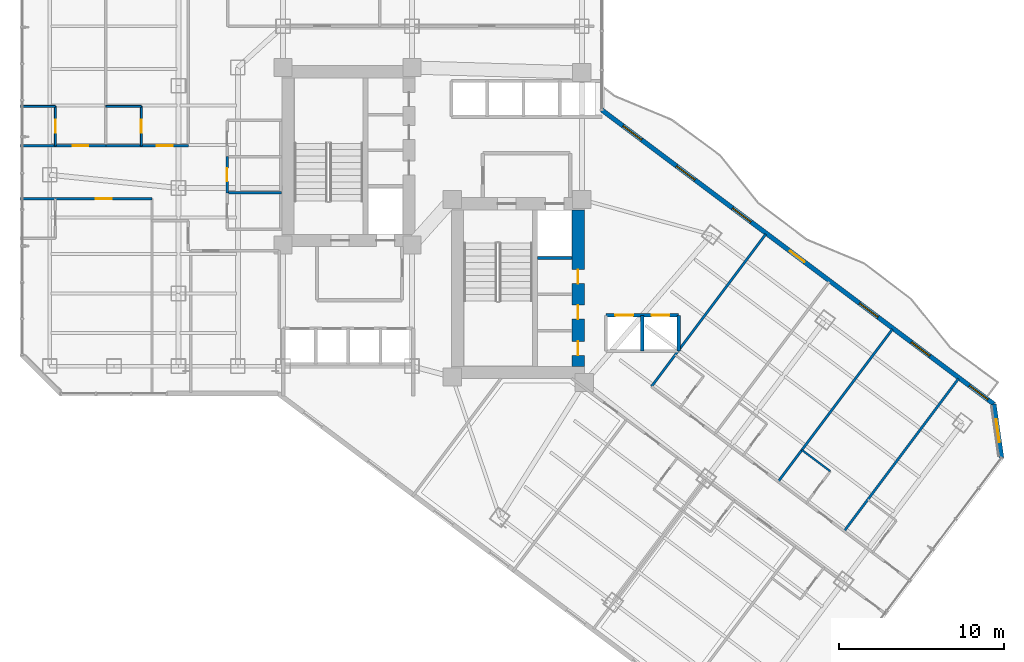
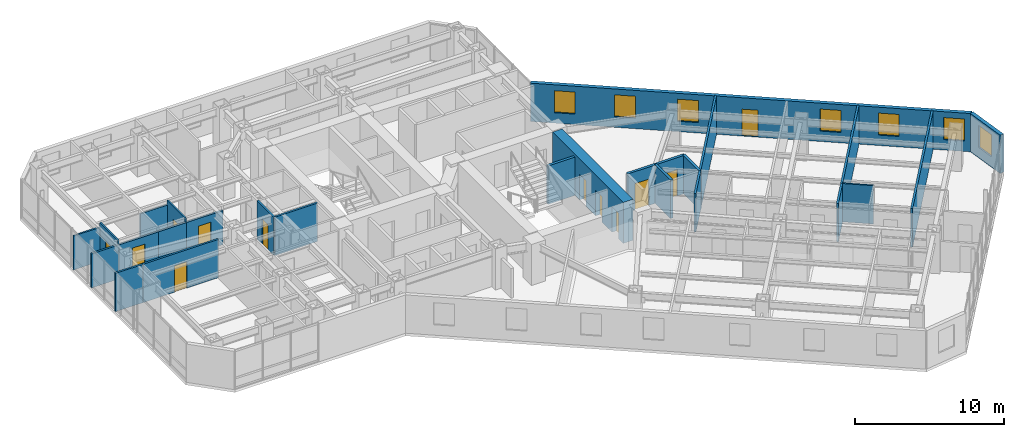
# One storey, part 24 of 31: 23 walls, 12 doors, 7 windows, 19 openings.
"""IFC4 building model written with IfcOpenShell, lengths in metres."""

from ifc_helpers import new_model, si_unit, direction, frame, frame_2d, origin, place, context, subcontext, project, spatial, rectangle, extrude, material, layer, layer_set, type_object, element, fill, save


model = new_model("IFC4")

# Units and contexts
model_context = context("Model", 3, precision=1e-05, world=origin(), true_north=direction((0.0, 1.0)))
body_context = subcontext(model_context, "Body", "Model", "MODEL_VIEW")
ifc_project = project(units=[si_unit("LENGTHUNIT", "METRE"), si_unit("AREAUNIT", "SQUARE_METRE"), si_unit("VOLUMEUNIT", "CUBIC_METRE"), si_unit("PLANEANGLEUNIT", "RADIAN"), si_unit("MASSUNIT", "GRAM", prefix="KILO")], contexts=[model_context])

# Site, building, storey
site_placement = place(None, origin())
site = spatial("IfcSite", under=ifc_project, at=site_placement, CompositionType="ELEMENT")
building_placement = place(site_placement, origin())
building = spatial("IfcBuilding", under=site, at=building_placement, Name="Hatsunagi Terrace Concourse", CompositionType="ELEMENT")
storey_placement = place(building_placement, frame((0.0, 0.0, 81.300048828125)))
storey = spatial("IfcBuildingStorey", under=building, at=storey_placement, Name="L21", CompositionType="ELEMENT", Elevation=81.300048828125)

# Wall, openings, doors
ifc_material_1 = material(Name="Concrete Fc60", Category="concrete")
ifc_layer_1 = layer(ifc_material_1, 0.75)
ifc_layer_set_1 = layer_set([ifc_layer_1], Name="CoreShearWall_Fc60_750")
wall_type_1 = type_object("IfcWallType", Name="CoreShearWall_Fc60_750", PredefinedType="SHEAR", material=ifc_layer_set_1)
wall_1_placement = place(storey_placement, frame((43.425048828125, 25.18994140625, 0.0), z_axis=(0.0, 0.0, 1.0), x_axis=(0.0, 1.0, 0.0)))
wall_1 = element("IfcWall", 1, at=wall_1_placement, inside=storey, type_object=wall_type_1, Name="Core B Shear Wall E L21", PredefinedType="SHEAR", context=body_context, shape_type="SweptSolid", body=[
    extrude(rectangle(XDim=9.47998046875, YDim=0.75, at=frame_2d((4.739990234375, 0.0))), origin(), (0.0, 0.0, 1.0), 3.349853515625),
])
opening_1_placement = place(wall_1_placement, frame((0.659912109375, 0.0, 0.0)))
opening_1 = element("IfcOpeningElement", 2, at=opening_1_placement, cuts=wall_1, Name="Opening DR-085", PredefinedType="OPENING", context=body_context, shape_type="SweptSolid", body=[
    extrude(rectangle(XDim=0.85009765625, YDim=2.080078125, at=frame_2d((0.425048828125, 1.0400390625))), frame((0.0, 0.385009765625, 0.0), z_axis=(0.0, -1.0, 0.0), x_axis=(1.0, 0.0, 0.0)), (0.0, 0.0, 1.0), 0.77001953125),
])
opening_2_placement = place(wall_1_placement, frame((2.860107421875, 0.0, 0.0)))
opening_2 = element("IfcOpeningElement", 3, at=opening_2_placement, cuts=wall_1, Name="Opening DR-085", PredefinedType="OPENING", context=body_context, shape_type="SweptSolid", body=[
    extrude(rectangle(XDim=0.85009765625, YDim=2.080078125, at=frame_2d((0.425048828125, 1.0400390625))), frame((0.0, 0.385009765625, 0.0), z_axis=(0.0, -1.0, 0.0), x_axis=(1.0, 0.0, 0.0)), (0.0, 0.0, 1.0), 0.77001953125),
])
opening_3_placement = place(wall_1_placement, frame((5.010009765625, 0.0, 0.0)))
opening_3 = element("IfcOpeningElement", 4, at=opening_3_placement, cuts=wall_1, Name="Opening DR-085", PredefinedType="OPENING", context=body_context, shape_type="SweptSolid", body=[
    extrude(rectangle(XDim=0.85009765625, YDim=2.080078125, at=frame_2d((0.425048828125, 1.0400390625))), frame((0.0, 0.385009765625, 0.0), z_axis=(0.0, -1.0, 0.0), x_axis=(1.0, 0.0, 0.0)), (0.0, 0.0, 1.0), 0.77001953125),
])
ifc_material_2 = material(Name="Painted steel", Category="steel")
door_type_1 = type_object("IfcDoorType", Name="RiserAccessDoor_EI60_850", OperationType="NOTDEFINED", PredefinedType="DOOR", material=ifc_material_2)
door_1_placement = place(opening_1_placement, origin())
door_1 = element("IfcDoor", 5, at=door_1_placement, inside=storey, type_object=door_type_1, Name="Core B Riser Door L21-1", OperationType="SINGLE_SWING_RIGHT", OverallHeight=2.080078125, OverallWidth=0.85009765625, PredefinedType="DOOR", context=body_context, shape_type="SweptSolid", body=[
    extrude(rectangle(XDim=0.85009765625, YDim=2.080078125, at=frame_2d((0.425048828125, 1.0400390625))), frame((0.0, 0.02490234375, 0.0), z_axis=(0.0, -1.0, 0.0), x_axis=(1.0, 0.0, 0.0)), (0.0, 0.0, 1.0), 0.050048828125),
])
fill(opening_1, door_1)
door_2_placement = place(opening_2_placement, origin())
door_2 = element("IfcDoor", 6, at=door_2_placement, inside=storey, type_object=door_type_1, Name="Core B Riser Door L21-2", OperationType="SINGLE_SWING_RIGHT", OverallHeight=2.080078125, OverallWidth=0.85009765625, PredefinedType="DOOR", context=body_context, shape_type="SweptSolid", body=[
    extrude(rectangle(XDim=0.85009765625, YDim=2.080078125, at=frame_2d((0.425048828125, 1.0400390625))), frame((0.0, 0.02490234375, 0.0), z_axis=(0.0, -1.0, 0.0), x_axis=(1.0, 0.0, 0.0)), (0.0, 0.0, 1.0), 0.050048828125),
])
fill(opening_2, door_2)
door_3_placement = place(opening_3_placement, origin())
door_3 = element("IfcDoor", 7, at=door_3_placement, inside=storey, type_object=door_type_1, Name="Core B Riser Door L21-3", OperationType="SINGLE_SWING_RIGHT", OverallHeight=2.080078125, OverallWidth=0.85009765625, PredefinedType="DOOR", context=body_context, shape_type="SweptSolid", body=[
    extrude(rectangle(XDim=0.85009765625, YDim=2.080078125, at=frame_2d((0.425048828125, 1.0400390625))), frame((0.0, 0.02490234375, 0.0), z_axis=(0.0, -1.0, 0.0), x_axis=(1.0, 0.0, 0.0)), (0.0, 0.0, 1.0), 0.050048828125),
])
fill(opening_3, door_3)

# Wall, opening, door
ifc_material_3 = material(Name="Acoustic mineral board", Category="gypsum")
ifc_layer_2 = layer(ifc_material_3, 0.1201171875)
ifc_layer_set_2 = layer_set([ifc_layer_2], Name="PartitionWall_EI30_120")
wall_type_2 = type_object("IfcWallType", Name="PartitionWall_EI30_120", PredefinedType="PARTITIONING", material=ifc_layer_set_2)
wall_2_placement = place(storey_placement, frame((11.75, 38.550048828125, 0.0), z_axis=(0.0, 0.0, 1.0), x_axis=(0.0, 1.0, 0.0)))
wall_2 = element("IfcWall", 8, at=wall_2_placement, inside=storey, type_object=wall_type_2, Name="Interior Partition IW-L21-051", PredefinedType="PARTITIONING", context=body_context, shape_type="SweptSolid", body=[
    extrude(rectangle(XDim=2.39990234375, YDim=0.1201171875, at=frame_2d((1.199951171875, 0.0))), origin(), (0.0, 0.0, 1.0), 3.1298828125),
])
opening_4_placement = place(wall_2_placement, frame((0.800048828125, 0.0, 0.0)))
opening_4 = element("IfcOpeningElement", 9, at=opening_4_placement, cuts=wall_2, Name="Opening DR-080", PredefinedType="OPENING", context=body_context, shape_type="SweptSolid", body=[
    extrude(rectangle(XDim=0.800048828125, YDim=2.06005859375, at=frame_2d((0.39990234375, 1.030029296875))), frame((0.0, 0.070068359375, 0.0), z_axis=(0.0, -1.0, 0.0), x_axis=(1.0, 0.0, 0.0)), (0.0, 0.0, 1.0), 0.14013671875),
])
ifc_material_4 = material(Name="Hardwood timber", Category="wood")
door_type_2 = type_object("IfcDoorType", Name="BathroomDoor_800", OperationType="NOTDEFINED", PredefinedType="DOOR", material=ifc_material_4)
door_4_placement = place(opening_4_placement, origin())
door_4 = element("IfcDoor", 10, at=door_4_placement, inside=storey, type_object=door_type_2, Name="En-Suite Bathroom L21-N1 Door", OperationType="SINGLE_SWING_RIGHT", OverallHeight=2.06005859375, OverallWidth=0.800048828125, PredefinedType="DOOR", context=body_context, shape_type="SweptSolid", body=[
    extrude(rectangle(XDim=0.800048828125, YDim=2.06005859375, at=frame_2d((0.39990234375, 1.030029296875))), frame((0.0, 0.02490234375, 0.0), z_axis=(0.0, -1.0, 0.0), x_axis=(1.0, 0.0, 0.0)), (0.0, 0.0, 1.0), 0.050048828125),
])
fill(opening_4, door_4)

# Wall
wall_3_placement = place(storey_placement, frame((9.639892578125, 40.949951171875, 0.0), z_axis=(0.0, 0.0, 1.0), x_axis=(1.0, 0.0, 0.0)))
element("IfcWall", 11, at=wall_3_placement, inside=storey, type_object=wall_type_2, Name="Interior Partition IW-L21-052", PredefinedType="PARTITIONING", context=body_context, shape_type="SweptSolid", body=[
    extrude(rectangle(XDim=2.110107421875, YDim=0.1201171875, at=frame_2d((1.05517578125, 0.0))), origin(), (0.0, 0.0, 1.0), 2.77490234375),
])

# Wall, opening, door
wall_4_placement = place(storey_placement, frame((16.949951171875, 38.550048828125, 0.0), z_axis=(0.0, 0.0, 1.0), x_axis=(0.0, 1.0, 0.0)))
wall_4 = element("IfcWall", 12, at=wall_4_placement, inside=storey, type_object=wall_type_2, Name="Interior Partition IW-L21-056", PredefinedType="PARTITIONING", context=body_context, shape_type="SweptSolid", body=[
    extrude(rectangle(XDim=2.39990234375, YDim=0.1201171875, at=frame_2d((1.199951171875, 0.0))), origin(), (0.0, 0.0, 1.0), 3.1298828125),
])
opening_5_placement = place(wall_4_placement, frame((0.800048828125, 0.0, 0.0)))
opening_5 = element("IfcOpeningElement", 13, at=opening_5_placement, cuts=wall_4, Name="Opening DR-080", PredefinedType="OPENING", context=body_context, shape_type="SweptSolid", body=[
    extrude(rectangle(XDim=0.800048828125, YDim=2.06005859375, at=frame_2d((0.39990234375, 1.030029296875))), frame((0.0, 0.070068359375, 0.0), z_axis=(0.0, -1.0, 0.0), x_axis=(1.0, 0.0, 0.0)), (0.0, 0.0, 1.0), 0.14013671875),
])
door_5_placement = place(opening_5_placement, origin())
door_5 = element("IfcDoor", 14, at=door_5_placement, inside=storey, type_object=door_type_2, Name="En-Suite Bathroom L21-N2 Door", OperationType="SINGLE_SWING_LEFT", OverallHeight=2.06005859375, OverallWidth=0.800048828125, PredefinedType="DOOR", context=body_context, shape_type="SweptSolid", body=[
    extrude(rectangle(XDim=0.800048828125, YDim=2.06005859375, at=frame_2d((0.39990234375, 1.030029296875))), frame((0.0, 0.02490234375, 0.0), z_axis=(0.0, -1.0, 0.0), x_axis=(1.0, 0.0, 0.0)), (0.0, 0.0, 1.0), 0.050048828125),
])
fill(opening_5, door_5)

# Walls
wall_5_placement = place(storey_placement, frame((14.800048828125, 40.949951171875, 0.0), z_axis=(0.0, 0.0, 1.0), x_axis=(1.0, 0.0, 0.0)))
element("IfcWall", 15, at=wall_5_placement, inside=storey, type_object=wall_type_2, Name="Interior Partition IW-L21-057", PredefinedType="PARTITIONING", context=body_context, shape_type="SweptSolid", body=[
    extrude(rectangle(XDim=2.14990234375, YDim=0.1201171875, at=frame_2d((1.074951171875, 0.0))), origin(), (0.0, 0.0, 1.0), 2.77490234375),
])
wall_6_placement = place(storey_placement, frame((56.989990234375, 20.1201171875, 0.0), z_axis=(0.0, 0.0, 1.0), x_axis=(0.79998637334, -0.60001816845, 0.0)))
element("IfcWall", 16, at=wall_6_placement, inside=storey, type_object=wall_type_2, Name="Interior Partition IW-L21-080", PredefinedType="PARTITIONING", context=body_context, shape_type="SweptSolid", body=[
    extrude(rectangle(XDim=2.14990234375, YDim=0.1201171875, at=frame_2d((1.074951171875, 0.0))), origin(), (0.0, 0.0, 1.0), 3.1298828125),
])
ifc_material_5 = material(Name="Acoustic mineral board", Category="gypsum")
ifc_layer_3 = layer(ifc_material_5, 0.14990234375)
ifc_layer_set_3 = layer_set([ifc_layer_3], Name="PartitionWall_EI60_150")
wall_type_3 = type_object("IfcWallType", Name="PartitionWall_EI60_150", PredefinedType="PARTITIONING", material=ifc_layer_set_3)
wall_7_placement = place(storey_placement, frame((22.14990234375, 35.699951171875, 0.0), z_axis=(0.0, 0.0, 1.0), x_axis=(1.0, 0.0, 0.0)))
element("IfcWall", 17, at=wall_7_placement, inside=storey, type_object=wall_type_3, Name="Interior Partition IW-L21-034", PredefinedType="PARTITIONING", context=body_context, shape_type="SweptSolid", body=[
    extrude(rectangle(XDim=3.300048828125, YDim=0.14990234375, at=frame_2d((1.64990234375, 0.0))), origin(), (0.0, 0.0, 1.0), 3.1298828125),
])

# Wall, opening, door
wall_8_placement = place(storey_placement, frame((22.14990234375, 35.699951171875, 0.0), z_axis=(0.0, 0.0, 1.0), x_axis=(0.0, 1.0, 0.0)))
wall_8 = element("IfcWall", 18, at=wall_8_placement, inside=storey, type_object=wall_type_3, Name="Interior Partition IW-L21-037", PredefinedType="PARTITIONING", context=body_context, shape_type="SweptSolid", body=[
    extrude(rectangle(XDim=2.199951171875, YDim=0.14990234375, at=frame_2d((1.10009765625, 0.0))), origin(), (0.0, 0.0, 1.0), 3.1298828125),
])
opening_6_placement = place(wall_8_placement, frame((0.699951171875, 0.0, 0.0)))
opening_6 = element("IfcOpeningElement", 19, at=opening_6_placement, cuts=wall_8, Name="Opening DR-080", PredefinedType="OPENING", context=body_context, shape_type="SweptSolid", body=[
    extrude(rectangle(XDim=0.800048828125, YDim=2.06005859375, at=frame_2d((0.39990234375, 1.030029296875))), frame((0.0, 0.0849609375, 0.0), z_axis=(0.0, -1.0, 0.0), x_axis=(1.0, 0.0, 0.0)), (0.0, 0.0, 1.0), 0.169921875),
])
door_6_placement = place(opening_6_placement, origin())
door_6 = element("IfcDoor", 20, at=door_6_placement, inside=storey, type_object=door_type_2, Name="Female Restroom Door L21", OperationType="SINGLE_SWING_RIGHT", OverallHeight=2.06005859375, OverallWidth=0.800048828125, PredefinedType="DOOR", context=body_context, shape_type="SweptSolid", body=[
    extrude(rectangle(XDim=0.800048828125, YDim=2.06005859375, at=frame_2d((0.39990234375, 1.030029296875))), frame((0.0, 0.02490234375, 0.0), z_axis=(0.0, -1.0, 0.0), x_axis=(1.0, 0.0, 0.0)), (0.0, 0.0, 1.0), 0.050048828125),
])
fill(opening_6, door_6)

# Wall
wall_9_placement = place(storey_placement, frame((9.639892578125, 38.550048828125, 0.0), z_axis=(0.0, 0.0, 1.0), x_axis=(1.0, 0.0, 0.0)))
element("IfcWall", 21, at=wall_9_placement, inside=storey, type_object=wall_type_3, Name="Interior Partition IW-L21-049", PredefinedType="PARTITIONING", context=body_context, shape_type="SweptSolid", body=[
    extrude(rectangle(XDim=2.110107421875, YDim=0.14990234375, at=frame_2d((1.05517578125, 0.0))), origin(), (0.0, 0.0, 1.0), 2.77490234375),
])

# Wall, opening, door
wall_10_placement = place(storey_placement, frame((11.75, 38.550048828125, 0.0), z_axis=(0.0, 0.0, 1.0), x_axis=(1.0, 0.0, 0.0)))
wall_10 = element("IfcWall", 22, at=wall_10_placement, inside=storey, type_object=wall_type_3, Name="Interior Partition IW-L21-050", PredefinedType="PARTITIONING", context=body_context, shape_type="SweptSolid", body=[
    extrude(rectangle(XDim=3.050048828125, YDim=0.14990234375, at=frame_2d((1.52490234375, 0.0))), origin(), (0.0, 0.0, 1.0), 2.77490234375),
])
opening_7_placement = place(wall_10_placement, frame((1.050048828125, 0.0, 0.0)))
opening_7 = element("IfcOpeningElement", 23, at=opening_7_placement, cuts=wall_10, Name="Opening DR-095", PredefinedType="OPENING", context=body_context, shape_type="SweptSolid", body=[
    extrude(rectangle(XDim=0.949951171875, YDim=2.14990234375, at=frame_2d((0.47509765625, 1.074951171875))), frame((0.0, 0.0849609375, 0.0), z_axis=(0.0, -1.0, 0.0), x_axis=(1.0, 0.0, 0.0)), (0.0, 0.0, 1.0), 0.169921875),
])
ifc_material_6 = material(Name="Hardwood timber", Category="wood")
door_type_3 = type_object("IfcDoorType", Name="InteriorSuiteDoor_EI30_950", OperationType="NOTDEFINED", PredefinedType="DOOR", material=ifc_material_6)
door_7_placement = place(opening_7_placement, origin())
door_7 = element("IfcDoor", 24, at=door_7_placement, inside=storey, type_object=door_type_3, Name="Hotel Guest Room L21-N1 Door", OperationType="SINGLE_SWING_LEFT", OverallHeight=2.14990234375, OverallWidth=0.949951171875, PredefinedType="DOOR", context=body_context, shape_type="SweptSolid", body=[
    extrude(rectangle(XDim=0.949951171875, YDim=2.14990234375, at=frame_2d((0.47509765625, 1.074951171875))), frame((0.0, 0.02490234375, 0.0), z_axis=(0.0, -1.0, 0.0), x_axis=(1.0, 0.0, 0.0)), (0.0, 0.0, 1.0), 0.050048828125),
])
fill(opening_7, door_7)

# Wall
wall_11_placement = place(storey_placement, frame((14.800048828125, 38.550048828125, 0.0), z_axis=(0.0, 0.0, 1.0), x_axis=(1.0, 0.0, 0.0)))
element("IfcWall", 25, at=wall_11_placement, inside=storey, type_object=wall_type_3, Name="Interior Partition IW-L21-054", PredefinedType="PARTITIONING", context=body_context, shape_type="SweptSolid", body=[
    extrude(rectangle(XDim=2.14990234375, YDim=0.14990234375, at=frame_2d((1.074951171875, 0.0))), origin(), (0.0, 0.0, 1.0), 2.77490234375),
])

# Wall, opening, door
wall_12_placement = place(storey_placement, frame((16.949951171875, 38.550048828125, 0.0), z_axis=(0.0, 0.0, 1.0), x_axis=(1.0, 0.0, 0.0)))
wall_12 = element("IfcWall", 26, at=wall_12_placement, inside=storey, type_object=wall_type_3, Name="Interior Partition IW-L21-055", PredefinedType="PARTITIONING", context=body_context, shape_type="SweptSolid", body=[
    extrude(rectangle(XDim=2.85009765625, YDim=0.14990234375, at=frame_2d((1.425048828125, 0.0))), origin(), (0.0, 0.0, 1.0), 2.77490234375),
])
opening_8_placement = place(wall_12_placement, frame((0.949951171875, 0.0, 0.0)))
opening_8 = element("IfcOpeningElement", 27, at=opening_8_placement, cuts=wall_12, Name="Opening DR-095", PredefinedType="OPENING", context=body_context, shape_type="SweptSolid", body=[
    extrude(rectangle(XDim=0.949951171875, YDim=2.14990234375, at=frame_2d((0.47509765625, 1.074951171875))), frame((0.0, 0.0849609375, 0.0), z_axis=(0.0, -1.0, 0.0), x_axis=(1.0, 0.0, 0.0)), (0.0, 0.0, 1.0), 0.169921875),
])
door_8_placement = place(opening_8_placement, origin())
door_8 = element("IfcDoor", 28, at=door_8_placement, inside=storey, type_object=door_type_3, Name="Hotel Guest Room L21-N2 Door", OperationType="SINGLE_SWING_LEFT", OverallHeight=2.14990234375, OverallWidth=0.949951171875, PredefinedType="DOOR", context=body_context, shape_type="SweptSolid", body=[
    extrude(rectangle(XDim=0.949951171875, YDim=2.14990234375, at=frame_2d((0.47509765625, 1.074951171875))), frame((0.0, 0.02490234375, 0.0), z_axis=(0.0, -1.0, 0.0), x_axis=(1.0, 0.0, 0.0)), (0.0, 0.0, 1.0), 0.050048828125),
])
fill(opening_8, door_8)

# Wall
wall_13_placement = place(storey_placement, frame((9.639892578125, 35.35009765625, 0.0), z_axis=(0.0, 0.0, 1.0), x_axis=(1.0, 0.0, 0.0)))
element("IfcWall", 29, at=wall_13_placement, inside=storey, type_object=wall_type_3, Name="Interior Partition IW-L21-059", PredefinedType="PARTITIONING", context=body_context, shape_type="SweptSolid", body=[
    extrude(rectangle(XDim=2.110107421875, YDim=0.14990234375, at=frame_2d((1.05517578125, 0.0))), origin(), (0.0, 0.0, 1.0), 3.1298828125),
])

# Wall, opening, door
wall_14_placement = place(storey_placement, frame((11.75, 35.35009765625, 0.0), z_axis=(0.0, 0.0, 1.0), x_axis=(1.0, 0.0, 0.0)))
wall_14 = element("IfcWall", 30, at=wall_14_placement, inside=storey, type_object=wall_type_3, Name="Interior Partition IW-L21-060", PredefinedType="PARTITIONING", context=body_context, shape_type="SweptSolid", body=[
    extrude(rectangle(XDim=5.85009765625, YDim=0.14990234375, at=frame_2d((2.925048828125, 0.0))), origin(), (0.0, 0.0, 1.0), 3.1298828125),
])
opening_9_placement = place(wall_14_placement, frame((2.449951171875, 0.0, 0.0)))
opening_9 = element("IfcOpeningElement", 31, at=opening_9_placement, cuts=wall_14, Name="Opening DR-095", PredefinedType="OPENING", context=body_context, shape_type="SweptSolid", body=[
    extrude(rectangle(XDim=0.949951171875, YDim=2.14990234375, at=frame_2d((0.47509765625, 1.074951171875))), frame((0.0, 0.0849609375, 0.0), z_axis=(0.0, -1.0, 0.0), x_axis=(1.0, 0.0, 0.0)), (0.0, 0.0, 1.0), 0.169921875),
])
door_9_placement = place(opening_9_placement, origin())
door_9 = element("IfcDoor", 32, at=door_9_placement, inside=storey, type_object=door_type_3, Name="Corner Hotel Suite L21-S1 Door", OperationType="SINGLE_SWING_RIGHT", OverallHeight=2.14990234375, OverallWidth=0.949951171875, PredefinedType="DOOR", context=body_context, shape_type="SweptSolid", body=[
    extrude(rectangle(XDim=0.949951171875, YDim=2.14990234375, at=frame_2d((0.47509765625, 1.074951171875))), frame((0.0, 0.02490234375, 0.0), z_axis=(0.0, -1.0, 0.0), x_axis=(1.0, 0.0, 0.0)), (0.0, 0.0, 1.0), 0.050048828125),
])
fill(opening_9, door_9)

# Walls
for number, where, z_axis, x_axis, name in (
    (33, (47.8701171875, 23.9599609375, 0.0), (0.0, 0.0, 1.0), (0.599996617946, 0.80000253653, 0.0), "Interior Partition IW-L21-070"),
    (34, (55.550048828125, 18.199951171875, 0.0), (0.0, 0.0, 1.0), (0.599996617946, 0.80000253653, 0.0), "Interior Partition IW-L21-076"),
    (35, (59.550048828125, 15.199951171875, 0.0), (0.0, 0.0, 1.0), (0.599996617946, 0.80000253653, 0.0), "Interior Partition IW-L21-081"),
):
    element("IfcWall", number, at=place(storey_placement, frame(where, z_axis=z_axis, x_axis=x_axis)), inside=storey, type_object=wall_type_3, Name=name, PredefinedType="PARTITIONING", context=body_context, shape_type="SweptSolid", body=[
        extrude(rectangle(XDim=11.550048828125, YDim=0.14990234375, at=frame_2d((5.77490234375, 0.0))), origin(), (0.0, 0.0, 1.0), 3.1298828125),
    ])
ifc_material_7 = material(Name="Acoustic mineral board", Category="gypsum")
ifc_layer_4 = layer(ifc_material_7, 0.199951171875)
ifc_layer_set_4 = layer_set([ifc_layer_4], Name="ShaftWall_EI120_200")
wall_type_4 = type_object("IfcWallType", Name="ShaftWall_EI120_200", PredefinedType="STANDARD", material=ifc_layer_set_4)
wall_15_placement = place(storey_placement, frame((40.969970703125, 31.760009765625, 0.0), z_axis=(0.0, 0.0, 1.0), x_axis=(1.0, 0.0, 0.0)))
element("IfcWall", 36, at=wall_15_placement, inside=storey, type_object=wall_type_4, Name="Interior Partition IW-L21-004", PredefinedType="STANDARD", context=body_context, shape_type="SweptSolid", body=[
    extrude(rectangle(XDim=2.080078125, YDim=0.199951171875, at=frame_2d((1.0400390625, 0.0))), origin(), (0.0, 0.0, 1.0), 3.1298828125),
])
for number, where, z_axis, x_axis, name in (
    (37, (49.52001953125, 26.1201171875, 0.0), (0.0, 0.0, 1.0), (0.0, 1.0, 0.0), "Interior Partition IW-L21-028"),
    (38, (47.320068359375, 26.1201171875, 0.0), (0.0, 0.0, 1.0), (0.0, 1.0, 0.0), "Interior Partition IW-L21-029"),
):
    element("IfcWall", number, at=place(storey_placement, frame(where, z_axis=z_axis, x_axis=x_axis)), inside=storey, type_object=wall_type_4, Name=name, PredefinedType="STANDARD", context=body_context, shape_type="SweptSolid", body=[
        extrude(rectangle(XDim=2.159912109375, YDim=0.199951171875, at=frame_2d((1.080078125, 0.0))), origin(), (0.0, 0.0, 1.0), 3.1298828125),
    ])

# Wall, openings, doors
wall_16_placement = place(storey_placement, frame((45.1201171875, 28.280029296875, 0.0), z_axis=(0.0, 0.0, 1.0), x_axis=(1.0, 0.0, 0.0)))
wall_16 = element("IfcWall", 39, at=wall_16_placement, inside=storey, type_object=wall_type_4, Name="Interior Partition IW-L21-030", PredefinedType="STANDARD", context=body_context, shape_type="SweptSolid", body=[
    extrude(rectangle(XDim=4.39990234375, YDim=0.199951171875, at=frame_2d((2.199951171875, 0.0))), origin(), (0.0, 0.0, 1.0), 3.1298828125),
])
opening_10_placement = place(wall_16_placement, frame((0.56005859375, 0.0, 0.0)))
opening_10 = element("IfcOpeningElement", 40, at=opening_10_placement, cuts=wall_16, Name="Opening LD-03", PredefinedType="OPENING", context=body_context, shape_type="SweptSolid", body=[
    extrude(rectangle(XDim=1.080078125, YDim=2.14990234375, at=frame_2d((0.5400390625, 1.074951171875))), frame((0.0, 0.10986328125, 0.0), z_axis=(0.0, -1.0, 0.0), x_axis=(1.0, 0.0, 0.0)), (0.0, 0.0, 1.0), 0.219970703125),
])
opening_11_placement = place(wall_16_placement, frame((2.760009765625, 0.0, 0.0)))
opening_11 = element("IfcOpeningElement", 41, at=opening_11_placement, cuts=wall_16, Name="Opening LD-03", PredefinedType="OPENING", context=body_context, shape_type="SweptSolid", body=[
    extrude(rectangle(XDim=1.080078125, YDim=2.14990234375, at=frame_2d((0.5400390625, 1.074951171875))), frame((0.0, 0.10986328125, 0.0), z_axis=(0.0, -1.0, 0.0), x_axis=(1.0, 0.0, 0.0)), (0.0, 0.0, 1.0), 0.219970703125),
])
ifc_material_8 = material(Name="Stainless steel", Category="steel")
door_type_4 = type_object("IfcDoorType", Name="LiftLandingDoor_LD03", OperationType="SLIDING_TO_LEFT", PredefinedType="USERDEFINED", material=ifc_material_8)
door_10_placement = place(opening_10_placement, origin())
door_10 = element("IfcDoor", 42, at=door_10_placement, inside=storey, type_object=door_type_4, Name="Lift landing door PL-09 L21", ObjectType="SLIDING_LANDING_DOOR", OperationType="SLIDING_TO_LEFT", OverallHeight=2.14990234375, OverallWidth=1.080078125, PredefinedType="USERDEFINED", context=body_context, shape_type="SweptSolid", body=[
    extrude(rectangle(XDim=1.080078125, YDim=2.14990234375, at=frame_2d((0.5400390625, 1.074951171875))), frame((0.0, 0.02490234375, 0.0), z_axis=(0.0, -1.0, 0.0), x_axis=(1.0, 0.0, 0.0)), (0.0, 0.0, 1.0), 0.050048828125),
])
fill(opening_10, door_10)
door_11_placement = place(opening_11_placement, origin())
door_11 = element("IfcDoor", 43, at=door_11_placement, inside=storey, type_object=door_type_4, Name="Lift landing door PL-10 L21", ObjectType="SLIDING_LANDING_DOOR", OperationType="SLIDING_TO_LEFT", OverallHeight=2.14990234375, OverallWidth=1.080078125, PredefinedType="USERDEFINED", context=body_context, shape_type="SweptSolid", body=[
    extrude(rectangle(XDim=1.080078125, YDim=2.14990234375, at=frame_2d((0.5400390625, 1.074951171875))), frame((0.0, 0.02490234375, 0.0), z_axis=(0.0, -1.0, 0.0), x_axis=(1.0, 0.0, 0.0)), (0.0, 0.0, 1.0), 0.050048828125),
])
fill(opening_11, door_11)

# Wall, openings, door, windows
ifc_material_9 = material(Name="Autoclaved Lightweight Concrete and Terracotta Cladding", Category="masonry")
ifc_layer_5 = layer(ifc_material_9, 0.280029296875)
ifc_layer_set_5 = layer_set([ifc_layer_5], Name="TerracottaSpandrelWall_280")
wall_type_5 = type_object("IfcWallType", Name="TerracottaSpandrelWall_280", PredefinedType="STANDARD", material=ifc_layer_set_5)
wall_17_placement = place(storey_placement, frame((44.860107421875, 40.72998046875, 0.0), z_axis=(0.0, 0.0, 1.0), x_axis=(0.800006902154, -0.599990797017, 0.0)))
wall_17 = element("IfcWall", 44, at=wall_17_placement, inside=storey, type_object=wall_type_5, Name="Exterior Spandrel Wall EW-L21-01", PredefinedType="STANDARD", context=body_context, shape_type="SweptSolid", body=[
    extrude(rectangle(XDim=29.7119140625, YDim=0.280029296875, at=frame_2d((14.85595703125, 0.0))), origin(), (0.0, 0.0, 1.0), 3.1298828125),
])
opening_12_placement = place(wall_17_placement, frame((14.2490234375, 0.0, 0.0)))
opening_12 = element("IfcOpeningElement", 45, at=opening_12_placement, cuts=wall_17, Name="Opening BD-01", PredefinedType="OPENING", context=body_context, shape_type="SweptSolid", body=[
    extrude(rectangle(XDim=1.10009765625, YDim=2.199951171875, at=frame_2d((0.550048828125, 1.10009765625))), frame((0.0, 0.14990234375, 0.0), z_axis=(0.0, -1.0, 0.0), x_axis=(1.0, 0.0, 0.0)), (0.0, 0.0, 1.0), 0.300048828125),
])
opening_13_placement = place(wall_17_placement, frame((1.612060546875, 0.0, 0.85009765625)))
opening_13 = element("IfcOpeningElement", 46, at=opening_13_placement, cuts=wall_17, Name="Opening WIN-02", PredefinedType="OPENING", context=body_context, shape_type="SweptSolid", body=[
    extrude(rectangle(XDim=1.39990234375, YDim=1.800048828125, at=frame_2d((0.699951171875, 0.89990234375))), frame((0.0, 0.14990234375, 0.0), z_axis=(0.0, -1.0, 0.0), x_axis=(1.0, 0.0, 0.0)), (0.0, 0.0, 1.0), 0.300048828125),
])
opening_14_placement = place(wall_17_placement, frame((5.6669921875, 0.0, 0.85009765625)))
opening_14 = element("IfcOpeningElement", 47, at=opening_14_placement, cuts=wall_17, Name="Opening WIN-02", PredefinedType="OPENING", context=body_context, shape_type="SweptSolid", body=[
    extrude(rectangle(XDim=1.39990234375, YDim=1.800048828125, at=frame_2d((0.699951171875, 0.89990234375))), frame((0.0, 0.14990234375, 0.0), z_axis=(0.0, -1.0, 0.0), x_axis=(1.0, 0.0, 0.0)), (0.0, 0.0, 1.0), 0.300048828125),
])
opening_15_placement = place(wall_17_placement, frame((9.912109375, 0.0, 0.85009765625)))
opening_15 = element("IfcOpeningElement", 48, at=opening_15_placement, cuts=wall_17, Name="Opening WIN-02", PredefinedType="OPENING", context=body_context, shape_type="SweptSolid", body=[
    extrude(rectangle(XDim=1.39990234375, YDim=1.800048828125, at=frame_2d((0.699951171875, 0.89990234375))), frame((0.0, 0.14990234375, 0.0), z_axis=(0.0, -1.0, 0.0), x_axis=(1.0, 0.0, 0.0)), (0.0, 0.0, 1.0), 0.300048828125),
])
opening_16_placement = place(wall_17_placement, frame((19.528076171875, 0.0, 0.85009765625)))
opening_16 = element("IfcOpeningElement", 49, at=opening_16_placement, cuts=wall_17, Name="Opening WIN-02", PredefinedType="OPENING", context=body_context, shape_type="SweptSolid", body=[
    extrude(rectangle(XDim=1.39990234375, YDim=1.800048828125, at=frame_2d((0.699951171875, 0.89990234375))), frame((0.0, 0.14990234375, 0.0), z_axis=(0.0, -1.0, 0.0), x_axis=(1.0, 0.0, 0.0)), (0.0, 0.0, 1.0), 0.300048828125),
])
opening_17_placement = place(wall_17_placement, frame((23.450927734375, 0.0, 0.85009765625)))
opening_17 = element("IfcOpeningElement", 50, at=opening_17_placement, cuts=wall_17, Name="Opening WIN-02", PredefinedType="OPENING", context=body_context, shape_type="SweptSolid", body=[
    extrude(rectangle(XDim=1.39990234375, YDim=1.800048828125, at=frame_2d((0.699951171875, 0.89990234375))), frame((0.0, 0.14990234375, 0.0), z_axis=(0.0, -1.0, 0.0), x_axis=(1.0, 0.0, 0.0)), (0.0, 0.0, 1.0), 0.300048828125),
])
opening_18_placement = place(wall_17_placement, frame((27.85205078125, 0.0, 0.85009765625)))
opening_18 = element("IfcOpeningElement", 51, at=opening_18_placement, cuts=wall_17, Name="Opening WIN-02", PredefinedType="OPENING", context=body_context, shape_type="SweptSolid", body=[
    extrude(rectangle(XDim=1.39990234375, YDim=1.800048828125, at=frame_2d((0.699951171875, 0.89990234375))), frame((0.0, 0.14990234375, 0.0), z_axis=(0.0, -1.0, 0.0), x_axis=(1.0, 0.0, 0.0)), (0.0, 0.0, 1.0), 0.300048828125),
])
ifc_material_10 = material(Name="Galvanised Steel and Laminated Safety Glass", Category="steel")
door_type_5 = type_object("IfcDoorType", Name="BalconyTerraceAccessDoor_1100x2200", OperationType="SINGLE_SWING_LEFT", PredefinedType="DOOR", material=ifc_material_10)
door_12_placement = place(opening_12_placement, origin())
door_12 = element("IfcDoor", 52, at=door_12_placement, inside=storey, type_object=door_type_5, Name="Engawa Balcony Door L21-BSE", OperationType="SINGLE_SWING_LEFT", OverallHeight=2.199951171875, OverallWidth=1.10009765625, PredefinedType="DOOR", context=body_context, shape_type="SweptSolid", body=[
    extrude(rectangle(XDim=1.10009765625, YDim=2.199951171875, at=frame_2d((0.550048828125, 1.10009765625))), frame((0.0, 0.02490234375, 0.0), z_axis=(0.0, -1.0, 0.0), x_axis=(1.0, 0.0, 0.0)), (0.0, 0.0, 1.0), 0.050048828125),
])
fill(opening_12, door_12)
ifc_material_11 = material(Name="Thermally Broken Aluminium and Low-E Triple Glazing", Category="aluminium")
window_type = type_object("IfcWindowType", Name="HotelOperableVentWindow_1400x1800", PartitioningType="DOUBLE_PANEL_VERTICAL", PredefinedType="WINDOW", material=ifc_material_11)
window_1_placement = place(opening_13_placement, origin())
window_1 = element("IfcWindow", 53, at=window_1_placement, inside=storey, type_object=window_type, Name="Balcony Daylighting Window L21-01-1", OverallHeight=1.800048828125, OverallWidth=1.39990234375, PartitioningType="SINGLE_PANEL", PredefinedType="WINDOW", context=body_context, shape_type="SweptSolid", body=[
    extrude(rectangle(XDim=1.39990234375, YDim=1.800048828125, at=frame_2d((0.699951171875, 0.89990234375))), frame((0.0, 0.030029296875, 0.0), z_axis=(0.0, -1.0, 0.0), x_axis=(1.0, 0.0, 0.0)), (0.0, 0.0, 1.0), 0.06005859375),
])
fill(opening_13, window_1)
window_2_placement = place(opening_14_placement, origin())
window_2 = element("IfcWindow", 54, at=window_2_placement, inside=storey, type_object=window_type, Name="Balcony Daylighting Window L21-01-2", OverallHeight=1.800048828125, OverallWidth=1.39990234375, PartitioningType="SINGLE_PANEL", PredefinedType="WINDOW", context=body_context, shape_type="SweptSolid", body=[
    extrude(rectangle(XDim=1.39990234375, YDim=1.800048828125, at=frame_2d((0.699951171875, 0.89990234375))), frame((0.0, 0.030029296875, 0.0), z_axis=(0.0, -1.0, 0.0), x_axis=(1.0, 0.0, 0.0)), (0.0, 0.0, 1.0), 0.06005859375),
])
fill(opening_14, window_2)
window_3_placement = place(opening_15_placement, origin())
window_3 = element("IfcWindow", 55, at=window_3_placement, inside=storey, type_object=window_type, Name="Balcony Daylighting Window L21-01-3", OverallHeight=1.800048828125, OverallWidth=1.39990234375, PartitioningType="SINGLE_PANEL", PredefinedType="WINDOW", context=body_context, shape_type="SweptSolid", body=[
    extrude(rectangle(XDim=1.39990234375, YDim=1.800048828125, at=frame_2d((0.699951171875, 0.89990234375))), frame((0.0, 0.030029296875, 0.0), z_axis=(0.0, -1.0, 0.0), x_axis=(1.0, 0.0, 0.0)), (0.0, 0.0, 1.0), 0.06005859375),
])
fill(opening_15, window_3)
window_4_placement = place(opening_16_placement, origin())
window_4 = element("IfcWindow", 56, at=window_4_placement, inside=storey, type_object=window_type, Name="Balcony Daylighting Window L21-01-5", OverallHeight=1.800048828125, OverallWidth=1.39990234375, PartitioningType="SINGLE_PANEL", PredefinedType="WINDOW", context=body_context, shape_type="SweptSolid", body=[
    extrude(rectangle(XDim=1.39990234375, YDim=1.800048828125, at=frame_2d((0.699951171875, 0.89990234375))), frame((0.0, 0.030029296875, 0.0), z_axis=(0.0, -1.0, 0.0), x_axis=(1.0, 0.0, 0.0)), (0.0, 0.0, 1.0), 0.06005859375),
])
fill(opening_16, window_4)
window_5_placement = place(opening_17_placement, origin())
window_5 = element("IfcWindow", 57, at=window_5_placement, inside=storey, type_object=window_type, Name="Balcony Daylighting Window L21-01-6", OverallHeight=1.800048828125, OverallWidth=1.39990234375, PartitioningType="SINGLE_PANEL", PredefinedType="WINDOW", context=body_context, shape_type="SweptSolid", body=[
    extrude(rectangle(XDim=1.39990234375, YDim=1.800048828125, at=frame_2d((0.699951171875, 0.89990234375))), frame((0.0, 0.030029296875, 0.0), z_axis=(0.0, -1.0, 0.0), x_axis=(1.0, 0.0, 0.0)), (0.0, 0.0, 1.0), 0.06005859375),
])
fill(opening_17, window_5)
window_6_placement = place(opening_18_placement, origin())
window_6 = element("IfcWindow", 58, at=window_6_placement, inside=storey, type_object=window_type, Name="Balcony Daylighting Window L21-01-7", OverallHeight=1.800048828125, OverallWidth=1.39990234375, PartitioningType="SINGLE_PANEL", PredefinedType="WINDOW", context=body_context, shape_type="SweptSolid", body=[
    extrude(rectangle(XDim=1.39990234375, YDim=1.800048828125, at=frame_2d((0.699951171875, 0.89990234375))), frame((0.0, 0.030029296875, 0.0), z_axis=(0.0, -1.0, 0.0), x_axis=(1.0, 0.0, 0.0)), (0.0, 0.0, 1.0), 0.06005859375),
])
fill(opening_18, window_6)

# Wall, opening, window
wall_18_placement = place(storey_placement, frame((68.6298828125, 22.903076171875, 0.0), z_axis=(0.0, 0.0, 1.0), x_axis=(0.141285803956, -0.989968848803, 0.0)))
wall_18 = element("IfcWall", 59, at=wall_18_placement, inside=storey, type_object=wall_type_5, Name="Exterior Spandrel Wall EW-L21-02", PredefinedType="STANDARD", context=body_context, shape_type="SweptSolid", body=[
    extrude(rectangle(XDim=3.278076171875, YDim=0.280029296875, at=frame_2d((1.63916015625, 0.0))), origin(), (0.0, 0.0, 1.0), 3.1298828125),
])
opening_19_placement = place(wall_18_placement, frame((0.93896484375, 0.0, 0.85009765625)))
opening_19 = element("IfcOpeningElement", 60, at=opening_19_placement, cuts=wall_18, Name="Opening WIN-02", PredefinedType="OPENING", context=body_context, shape_type="SweptSolid", body=[
    extrude(rectangle(XDim=1.39990234375, YDim=1.800048828125, at=frame_2d((0.699951171875, 0.89990234375))), frame((0.0, 0.14990234375, 0.0), z_axis=(0.0, -1.0, 0.0), x_axis=(1.0, 0.0, 0.0)), (0.0, 0.0, 1.0), 0.300048828125),
])
window_7_placement = place(opening_19_placement, origin())
window_7 = element("IfcWindow", 61, at=window_7_placement, inside=storey, type_object=window_type, Name="Hotel Guestroom Window L21-02-1", OverallHeight=1.800048828125, OverallWidth=1.39990234375, PartitioningType="SINGLE_PANEL", PredefinedType="WINDOW", context=body_context, shape_type="SweptSolid", body=[
    extrude(rectangle(XDim=1.39990234375, YDim=1.800048828125, at=frame_2d((0.699951171875, 0.89990234375))), frame((0.0, 0.030029296875, 0.0), z_axis=(0.0, -1.0, 0.0), x_axis=(1.0, 0.0, 0.0)), (0.0, 0.0, 1.0), 0.06005859375),
])
fill(opening_19, window_7)

save(model, "model.ifc")
